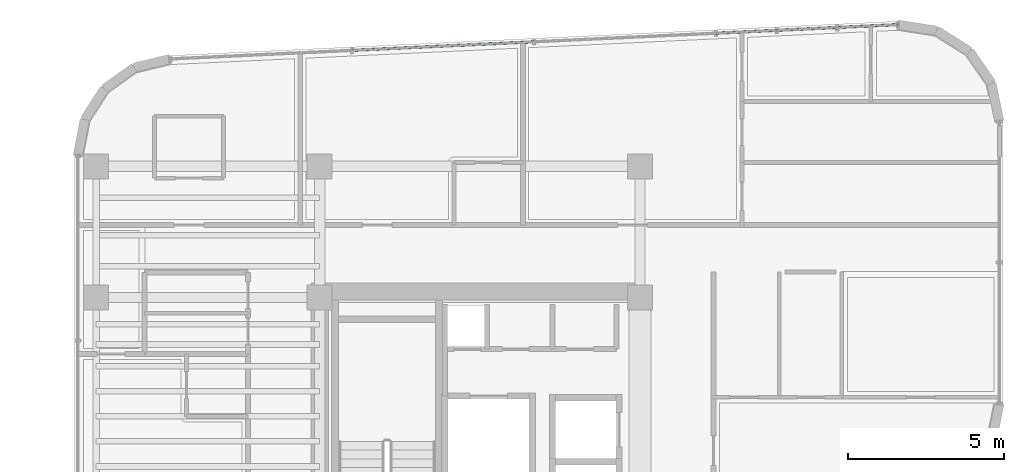
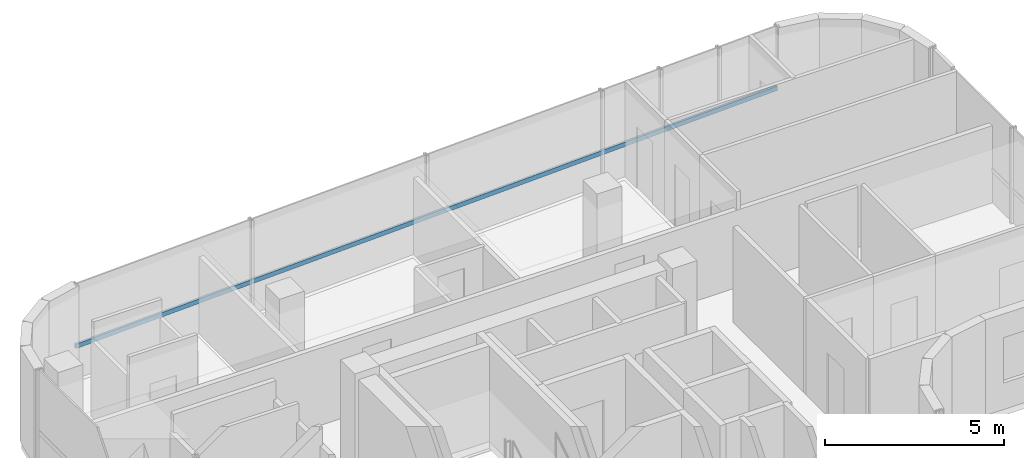
# One storey, part 11 of 19: 1 member, 1 element without a shape of its own.
"""IFC4 building model written with IfcOpenShell, lengths in metres."""

from ifc_helpers import new_model, si_unit, direction, frame, origin, origin_2d, place, context, subcontext, project, spatial, hollow_rectangle, extrude, source, transform, mapped, material, material_profile, profile_set, type_object, element, aggregate, save


model = new_model("IFC4")

# Units and contexts
model_context = context("Model", 3, precision=1e-05, world=origin(), true_north=direction((0.0, 1.0)))
body_context = subcontext(model_context, "Body", "Model", "MODEL_VIEW")
ifc_project = project(units=[si_unit("LENGTHUNIT", "METRE"), si_unit("AREAUNIT", "SQUARE_METRE"), si_unit("VOLUMEUNIT", "CUBIC_METRE"), si_unit("PLANEANGLEUNIT", "RADIAN"), si_unit("MASSUNIT", "GRAM", prefix="KILO")], contexts=[model_context])

# Site, building, storey
site_placement = place(None, origin())
site = spatial("IfcSite", under=ifc_project, at=site_placement, CompositionType="ELEMENT")
building_placement = place(site_placement, origin())
building = spatial("IfcBuilding", under=site, at=building_placement, Name="Valdorenza Pilgrim Sanctuary Tower", CompositionType="ELEMENT")
storey_placement = place(building_placement, frame((0.0, 0.0, 266.0)))
storey = spatial("IfcBuildingStorey", under=building, at=storey_placement, Name="L69", CompositionType="ELEMENT", Elevation=266.0)

# Curtain wall, member
ifc_material_1 = material(Name="Curtain-wall IGU glazing", Category="glass")
curtain_wall_type = type_object("IfcCurtainWallType", Name="CW-SYS-02", PredefinedType="NOTDEFINED", material=ifc_material_1)
curtain_wall_placement = place(storey_placement, origin())
curtain_wall = element("IfcCurtainWall", 1, at=curtain_wall_placement, inside=storey, type_object=curtain_wall_type, Name="L69 Curtain Wall CW-L69-1-6", PredefinedType="NOTDEFINED")
ifc_material_2 = material(Name="Anodised aluminium AW-6060", Category="aluminium")
ifc_material_profile = material_profile(ifc_material_2, hollow_rectangle(XDim=0.074951171875, YDim=0.14990234375, WallThickness=0.00390625, at=origin_2d()), Name="ALU-T 150x75x4")
ifc_profile_set = profile_set([ifc_material_profile], Name="Anodised aluminium AW-6060")
member_type = type_object("IfcMemberType", Name="CW-TRN-02", PredefinedType="USERDEFINED", material=ifc_profile_set)
shared_shape = source(origin(), body_context, "Body", "SweptSolid", [
    extrude(hollow_rectangle(XDim=0.074951171875, YDim=0.14990234375, WallThickness=0.00390625, at=origin_2d()), origin(), (0.0, 0.0, 1.0), 23.30419921875),
])
member_placement = place(storey_placement, frame((-27.43505859375, 18.234375, 1.1201171875), z_axis=(0.998890613053, 0.04709079693, 0.0), x_axis=(-0.04709079693, 0.998890613053, 0.0)))
member = element("IfcMember", 2, at=member_placement, type_object=member_type, Name="CW-L69-1-6 Transom 1", ObjectType="TRANSOM", PredefinedType="USERDEFINED", context=body_context, shape_type="MappedRepresentation", body=[
    mapped(shared_shape, transform((0.0, 0.0, 0.0), x_axis=(1.0, 0.0, 0.0), y_axis=(0.0, 1.0, 0.0), z_axis=(0.0, 0.0, 1.0), scale=1.0)),
])
aggregate(curtain_wall, [member])

save(model, "model.ifc")
